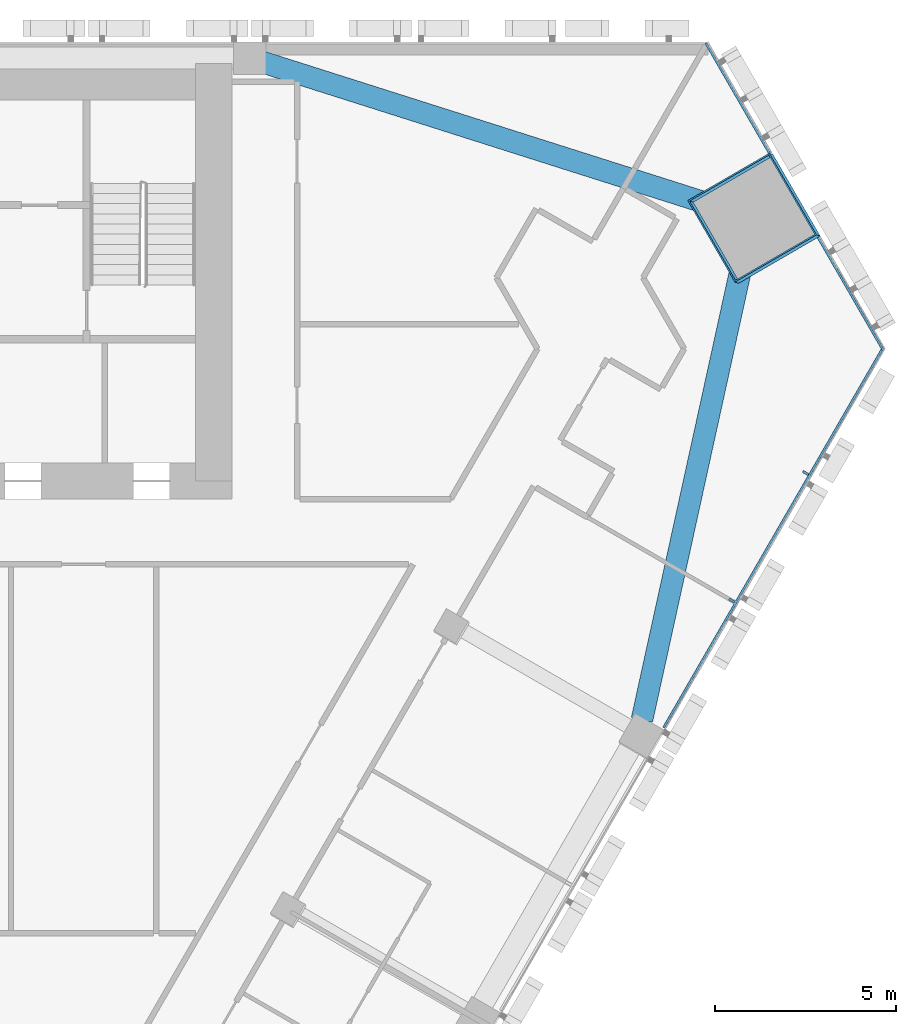
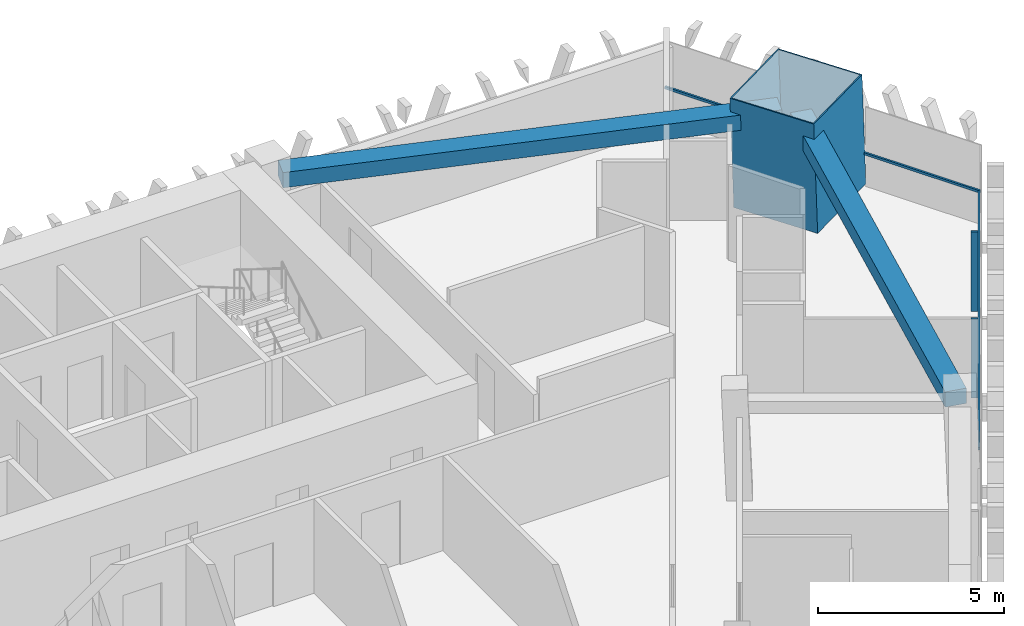
# One storey, part 8 of 18: 6 members, 2 beams, 2 elements without a shape of their own.
"""IFC4 building model written with IfcOpenShell, lengths in metres."""

from ifc_helpers import new_model, si_unit, direction, frame, origin, origin_2d, place, context, subcontext, project, spatial, rectangle, hollow_rectangle, extrude, material, layer, layer_set, material_profile, profile_set, type_object, element, aggregate, save


model = new_model("IFC4")

# Units and contexts
model_context = context("Model", 3, precision=1e-05, world=origin(), true_north=direction((0.0, 1.0)))
body_context = subcontext(model_context, "Body", "Model", "MODEL_VIEW")
ifc_project = project(units=[si_unit("LENGTHUNIT", "METRE"), si_unit("AREAUNIT", "SQUARE_METRE"), si_unit("VOLUMEUNIT", "CUBIC_METRE"), si_unit("PLANEANGLEUNIT", "RADIAN"), si_unit("MASSUNIT", "GRAM", prefix="KILO")], contexts=[model_context])

# Site, building, storey
site_placement = place(None, origin())
site = spatial("IfcSite", under=ifc_project, at=site_placement, CompositionType="ELEMENT")
building_placement = place(site_placement, origin())
building = spatial("IfcBuilding", under=site, at=building_placement, Name="Altiplano Prism Tower", CompositionType="ELEMENT")
storey_placement = place(building_placement, frame((0.0, 0.0, 37.800048828125)))
storey = spatial("IfcBuildingStorey", under=building, at=storey_placement, Name="L08", CompositionType="ELEMENT", Elevation=37.800048828125)

# Curtain wall, members
ifc_material_1 = material(Name="Aluminium and glass", Category="aluminium")
ifc_layer = layer(ifc_material_1, 0.280029296875)
ifc_layer_set = layer_set([ifc_layer], Name="Aluminium and glass")
curtain_wall_type = type_object("IfcCurtainWallType", Name="CW1 typical co-living unitised curtain wall", PredefinedType="NOTDEFINED", material=ifc_layer_set)
curtain_wall_1_placement = place(storey_placement, origin())
curtain_wall_1 = element("IfcCurtainWall", 1, at=curtain_wall_1_placement, inside=storey, type_object=curtain_wall_type, Name="CW1 curtain wall south-east face L08", PredefinedType="NOTDEFINED")
ifc_material_2 = material(Name="Aluminium", Category="aluminium")
ifc_material_profile_1 = material_profile(ifc_material_2, rectangle(XDim=0.179931640625, YDim=0.06494140625, at=origin_2d()), Name="CW1 mullion 65 x 180")
ifc_profile_set_1 = profile_set([ifc_material_profile_1], Name="Aluminium")
member_type_1 = type_object("IfcMemberType", Name="CW1 mullion 65 x 180", PredefinedType="MULLION", material=ifc_profile_set_1)
member_1_placement = place(storey_placement, frame((111.781982421875, 89.59912109375, 0.0), z_axis=(0.0, 0.0, 1.0), x_axis=(-0.8660254093, 0.499999990447, 0.0)))
member_1 = element("IfcMember", 2, at=member_1_placement, type_object=member_type_1, Name="CW1 mullion", PredefinedType="MULLION", context=body_context, shape_type="SweptSolid", body=[
    extrude(rectangle(XDim=0.179931640625, YDim=0.06494140625, at=origin_2d()), origin(), (0.0, 0.0, 1.0), 2.599853515625),
])
member_2_placement = place(storey_placement, frame((113.81298828125, 93.116943359375, 0.0), z_axis=(0.0, 0.0, 1.0), x_axis=(-0.8660254093, 0.499999990447, 0.0)))
member_2 = element("IfcMember", 3, at=member_2_placement, type_object=member_type_1, Name="CW1 mullion", PredefinedType="MULLION", context=body_context, shape_type="SweptSolid", body=[
    extrude(rectangle(XDim=0.179931640625, YDim=0.06494140625, at=origin_2d()), origin(), (0.0, 0.0, 1.0), 2.599853515625),
])
ifc_material_profile_2 = material_profile(ifc_material_2, rectangle(XDim=0.06005859375, YDim=0.080078125, at=origin_2d()), Name="CW1 transom 80 x 60")
ifc_profile_set_2 = profile_set([ifc_material_profile_2], Name="Aluminium")
member_type_2 = type_object("IfcMemberType", Name="CW1 transom 80 x 60", PredefinedType="USERDEFINED", material=ifc_profile_set_2)
member_3_placement = place(storey_placement, frame((109.900634765625, 86.1005859375, 1.099853515625), z_axis=(0.500007853624, 0.866020869445, 0.0), x_axis=(-0.866020869445, 0.500007853624, 0.0)))
member_3 = element("IfcMember", 4, at=member_3_placement, type_object=member_type_2, Name="CW1 transom", ObjectType="TRANSOM", PredefinedType="USERDEFINED", context=body_context, shape_type="SweptSolid", body=[
    extrude(rectangle(XDim=0.06005859375, YDim=0.080078125, at=origin_2d()), origin(), (0.0, 0.0, 1.0), 12.094482421875),
])
aggregate(curtain_wall_1, [member_1, member_2, member_3])

curtain_wall_2_placement = place(storey_placement, origin())
curtain_wall_2 = element("IfcCurtainWall", 5, at=curtain_wall_2_placement, inside=storey, type_object=curtain_wall_type, Name="CW1 curtain wall north-east chamfer L08", PredefinedType="NOTDEFINED")
member_4_placement = place(storey_placement, frame((115.947998046875, 96.504638671875, 1.099853515625), z_axis=(-0.499970065704, 0.866042685668, 0.0), x_axis=(-0.866042685668, -0.499970065704, 0.0)))
member_4 = element("IfcMember", 6, at=member_4_placement, type_object=member_type_2, Name="CW1 transom", ObjectType="TRANSOM", PredefinedType="USERDEFINED", context=body_context, shape_type="SweptSolid", body=[
    extrude(rectangle(XDim=0.06005859375, YDim=0.080078125, at=origin_2d()), origin(), (0.0, 0.0, 1.0), 3.584716796875),
])
member_5_placement = place(storey_placement, frame((112.815673828125, 101.929931640625, 1.099853515625), z_axis=(-0.499967682532, 0.866044061479, 0.0), x_axis=(-0.866044061479, -0.499967682532, 0.0)))
member_5 = element("IfcMember", 7, at=member_5_placement, type_object=member_type_2, Name="CW1 transom", ObjectType="TRANSOM", PredefinedType="USERDEFINED", context=body_context, shape_type="SweptSolid", body=[
    extrude(rectangle(XDim=0.06005859375, YDim=0.080078125, at=origin_2d()), origin(), (0.0, 0.0, 1.0), 3.504638671875),
])
aggregate(curtain_wall_2, [member_4, member_5])

# Beams
ifc_material_3 = material(Name="Concrete C60/75", Category="concrete")
ifc_material_profile_3 = material_profile(ifc_material_3, rectangle(XDim=0.60009765625, YDim=0.5, at=origin_2d()), Name="Edge beam 600x500")
ifc_profile_set_3 = profile_set([ifc_material_profile_3], Name="Concrete C60/75")
beam_type = type_object("IfcBeamType", Name="Edge beam 600x500", PredefinedType="SPANDREL", material=ifc_profile_set_3)
for number, where, z_axis, x_axis, name in (
    (8, (109.30224609375, 86.314453125, 2.849853515625), (0.214280156074, 0.976772243009, 0.0), (-0.976772243009, 0.214280156074, 0.0), "Edge beam P24-M2 L09"),
    (9, (111.909423828125, 100.28955078125, 2.849853515625), (-0.953052382481, 0.30280547592, 0.0), (-0.30280547592, -0.953052382481, 0.0), "Edge beam M2-P01 L09"),
):
    element("IfcBeam", number, at=place(storey_placement, frame(where, z_axis=z_axis, x_axis=x_axis)), inside=storey, type_object=beam_type, Name=name, PredefinedType="SPANDREL", context=body_context, shape_type="SweptSolid", body=[
        extrude(rectangle(XDim=0.60009765625, YDim=0.5, at=origin_2d()), origin(), (0.0, 0.0, 1.0), 13.7177734375),
    ])

# Member
ifc_material_4 = material(Name="Steel S460", Category="steel")
ifc_material_profile_4 = material_profile(ifc_material_4, hollow_rectangle(XDim=2.60009765625, YDim=2.60009765625, WallThickness=0.0400390625, at=origin_2d()), Name="Mega column tube 2600")
ifc_profile_set_4 = profile_set([ifc_material_profile_4], Name="Steel S460")
member_type_3 = type_object("IfcMemberType", Name="Mega column tube 2600", PredefinedType="POST", material=ifc_profile_set_4)
member_6_placement = place(storey_placement, frame((112.4404296875, 100.119873046875, 0.0), z_axis=(-0.028403739082, 0.009219352065, 0.999554016126), x_axis=(0.500759903992, -0.865301216656, 0.022210875906)))
element("IfcMember", 10, at=member_6_placement, inside=storey, type_object=member_type_3, Name="Mega column tube M2 L08", PredefinedType="POST", context=body_context, shape_type="SweptSolid", body=[
    extrude(hollow_rectangle(XDim=2.60009765625, YDim=2.60009765625, WallThickness=0.0400390625, at=origin_2d()), origin(), (0.0, 0.0, 1.0), 3.6015625),
])

save(model, "model.ifc")
